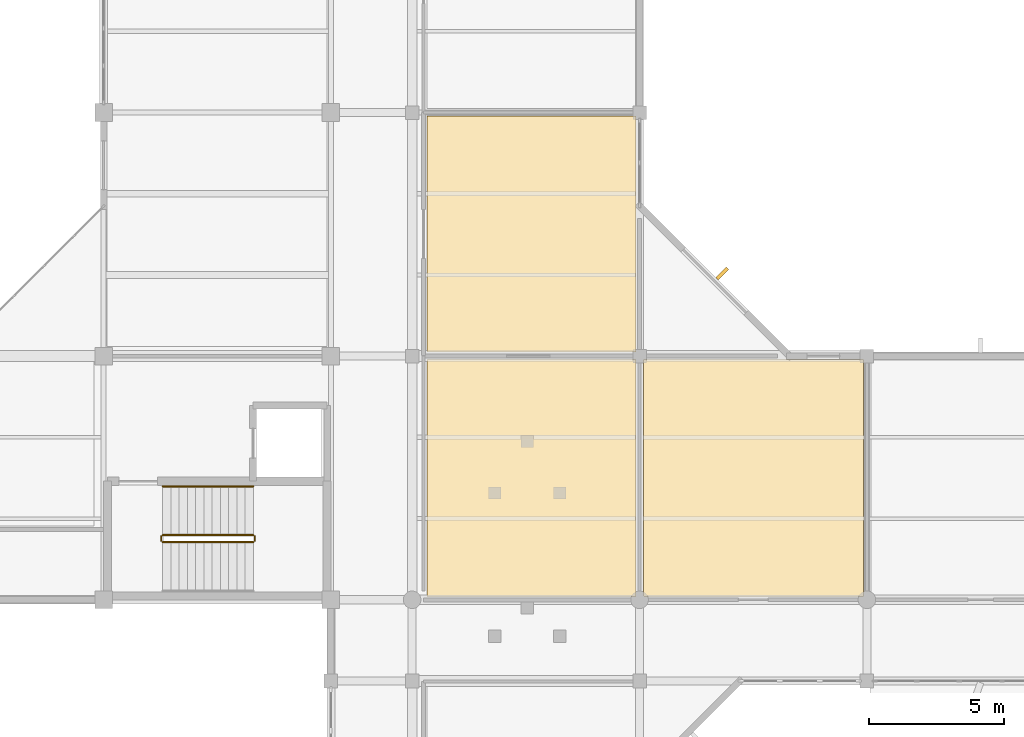
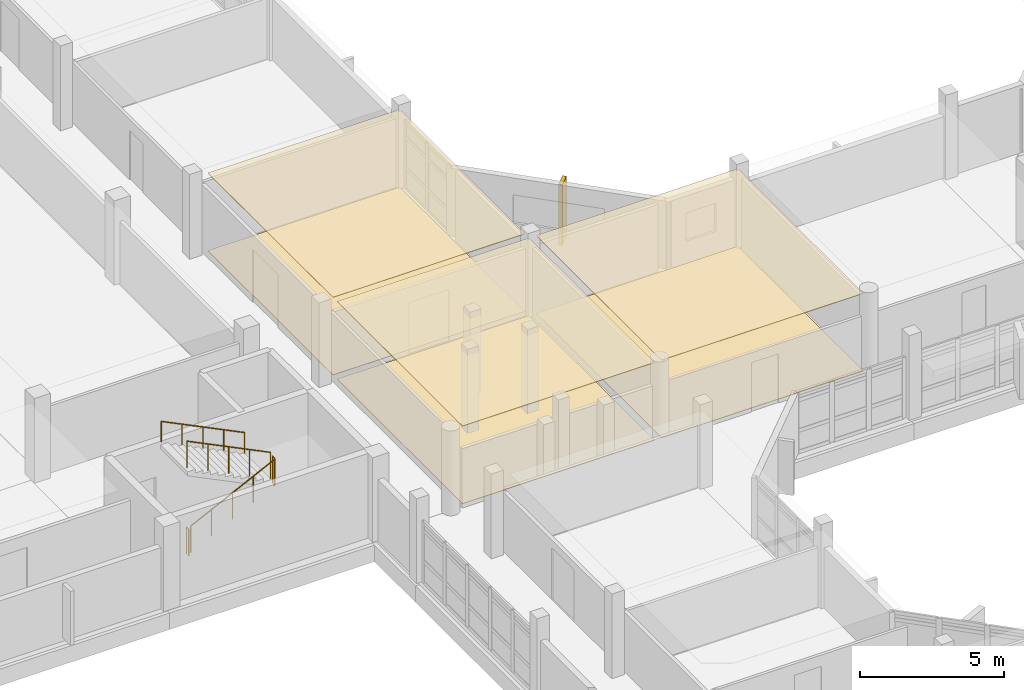
# One storey, part 85 of 104: 6 coverings, 5 railings, 1 shading device.
"""IFC4 building model written with IfcOpenShell, lengths in metres."""

import ifcopenshell
import ifcopenshell.guid

model = None  # the IFC model being written
_history = None  # IfcOwnerHistory: only IFC2X3 demands one
_inside = {}  # id of a spatial element -> (the spatial element, [elements in it])
_under = {}  # id of a project, library or spatial element -> (it, [spatial elements below it])
_declared = {}  # id of a project -> (the project, [libraries it declares])
_typed = {}  # id of a type object -> (the type object, [elements of that type])
_made_of = {}  # id of a material, layer set ... -> (it, [elements and type objects made of it])


def new_model(schema):
    """Start an empty IFC model of exactly this schema.

    Asked for "IFC4X3", IfcOpenShell would pick the latest addendum, in which some entities
    have other attributes; the version numbers below select the first issue.
    IFC2X3 requires an IfcOwnerHistory on every rooted entity: one is made here for all.
    """
    global model, _history
    if schema == "IFC4X3":
        model = ifcopenshell.file(schema_version=(4, 3, 0, 0))
    else:
        model = ifcopenshell.file(schema=schema)
    _inside.clear()
    _under.clear()
    _declared.clear()
    _typed.clear()
    _made_of.clear()
    _history = None
    if model.schema == "IFC2X3":
        org = make("IfcOrganization", Name="unknown")
        user = make(
            "IfcPersonAndOrganization",
            ThePerson=make("IfcPerson", FamilyName="unknown"),
            TheOrganization=org,
        )
        app = make(
            "IfcApplication",
            ApplicationDeveloper=org,
            Version="unknown",
            ApplicationFullName="unknown",
            ApplicationIdentifier="unknown",
        )
        _history = make(
            "IfcOwnerHistory",
            OwningUser=user,
            OwningApplication=app,
            ChangeAction="ADDED",
            CreationDate=0,
        )
    return model


def make(cls, **values):
    """One entity of the class cls with the attributes given. An attribute that is None is left unset."""
    return model.create_entity(
        cls, **{name: value for name, value in values.items() if value is not None}
    )


def rooted(cls, **values):
    """An entity with a GlobalId (a new one), such as an element, a storey or a relation."""
    return make(cls, GlobalId=ifcopenshell.guid.new(), OwnerHistory=_history, **values)


def si_unit(unit_type, name, prefix=None):
    """IfcSIUnit, for example si_unit("LENGTHUNIT", "METRE", prefix="MILLI")."""
    return make("IfcSIUnit", UnitType=unit_type, Prefix=prefix, Name=name)


def assignment(units):
    """IfcUnitAssignment: the units of a project."""
    return None if units is None else make("IfcUnitAssignment", Units=units)


def point(xyz):
    """IfcCartesianPoint."""
    return None if xyz is None else make("IfcCartesianPoint", Coordinates=xyz)


def direction(xyz):
    """IfcDirection."""
    return None if xyz is None else make("IfcDirection", DirectionRatios=xyz)


def frame(location, z_axis=None, x_axis=None):
    """IfcAxis2Placement3D, a coordinate frame: its origin and axes. An axis left out is left unset."""
    return make(
        "IfcAxis2Placement3D",
        Location=point(location),
        Axis=direction(z_axis),
        RefDirection=direction(x_axis),
    )


def frame_2d(location, x_axis=None):
    """IfcAxis2Placement2D, a coordinate frame in the plane: its origin and x axis."""
    return make(
        "IfcAxis2Placement2D", Location=point(location), RefDirection=direction(x_axis)
    )


def origin():
    """The frame at (0, 0, 0) with its axes left unset."""
    return frame((0.0, 0.0, 0.0))


def origin_2d():
    """The frame at (0, 0) in the plane with its x axis left unset."""
    return frame_2d((0.0, 0.0))


def place(relative_to, where):
    """IfcLocalPlacement: puts the frame where relative to a parent placement (None: the world)."""
    return make(
        "IfcLocalPlacement", PlacementRelTo=relative_to, RelativePlacement=where
    )


def context(
    kind, dimensions, precision=None, world=None, true_north=None, identifier=None
):
    """IfcGeometricRepresentationContext, for example the 3D "Model" context."""
    return make(
        "IfcGeometricRepresentationContext",
        ContextIdentifier=identifier,
        ContextType=kind,
        CoordinateSpaceDimension=dimensions,
        Precision=precision,
        WorldCoordinateSystem=world,
        TrueNorth=true_north,
    )


def subcontext(parent, identifier, kind, view, scale=None):
    """IfcGeometricRepresentationSubContext, for example "Body" below "Model"."""
    return make(
        "IfcGeometricRepresentationSubContext",
        ContextIdentifier=identifier,
        ContextType=kind,
        ParentContext=parent,
        TargetScale=scale,
        TargetView=view,
    )


def project(units=None, contexts=None):
    """IfcProject with its units and contexts."""
    return rooted(
        "IfcProject",
        Name="project",
        RepresentationContexts=contexts,
        UnitsInContext=assignment(units),
    )


def spatial(cls, under=None, at=None, **own):
    """A site, building, storey or space (cls), placed at a placement, below another one or the project."""
    s = rooted(cls, ObjectPlacement=at, **own)
    if under is not None:
        _under.setdefault(under.id(), (under, []))[1].append(s)
    return s


def polyline(points):
    """IfcPolyline through the points."""
    return make("IfcPolyline", Points=[point(p) for p in points])


def profile(cls, at=None, kind="AREA", **sizes):
    """A parametric profile (cls). Its sizes go by their IFC names, for example OverallWidth=200.0."""
    return make(cls, ProfileType=kind, Position=at, **sizes)


def rectangle(**sizes):
    """IfcRectangleProfileDef."""
    return profile("IfcRectangleProfileDef", **sizes)


def circle(**sizes):
    """IfcCircleProfileDef."""
    return profile("IfcCircleProfileDef", **sizes)


def outline(outer, holes=None, kind="AREA"):
    """IfcArbitraryClosedProfileDef: a profile drawn as a closed curve; with holes, ...WithVoids."""
    if holes is None:
        return make("IfcArbitraryClosedProfileDef", ProfileType=kind, OuterCurve=outer)
    return make(
        "IfcArbitraryProfileDefWithVoids",
        ProfileType=kind,
        OuterCurve=outer,
        InnerCurves=holes,
    )


def extrude(swept, where, along, depth):
    """IfcExtrudedAreaSolid: the profile swept, set in the frame where, extruded along a direction by depth."""
    return make(
        "IfcExtrudedAreaSolid",
        SweptArea=swept,
        Position=where,
        ExtrudedDirection=direction(along),
        Depth=depth,
    )


def shape(context_of_items, identifier, shape_type, items):
    """IfcShapeRepresentation: the items that make up one representation, for example the "Body"."""
    return make(
        "IfcShapeRepresentation",
        ContextOfItems=context_of_items,
        RepresentationIdentifier=identifier,
        RepresentationType=shape_type,
        Items=items,
    )


def material(Name=None, Category=None):
    """IfcMaterial."""
    return make("IfcMaterial", Name=Name, Category=Category)


def layer(
    of_material, thickness, ventilated=None, Name=None, Category=None, Priority=None
):
    """IfcMaterialLayer: one layer of a wall or slab, of a material (None: an air gap)."""
    return make(
        "IfcMaterialLayer",
        Material=of_material,
        LayerThickness=thickness,
        IsVentilated=ventilated,
        Name=Name,
        Category=Category,
        Priority=Priority,
    )


def layer_set(layers, Name=None):
    """IfcMaterialLayerSet."""
    return make("IfcMaterialLayerSet", MaterialLayers=layers, LayerSetName=Name)


def made_of(thing, what):
    """Note that an element or type object is made of a material, layer set ...; save() writes the relation."""
    if what is not None:
        _made_of.setdefault(what.id(), (what, []))[1].append(thing)
    return thing


def type_object(cls, material=None, **own):
    """A type object (cls), such as IfcWallType, which elements share."""
    return made_of(rooted(cls, **own), material)


def element(
    cls,
    number,
    at=None,
    inside=None,
    cuts=None,
    type_object=None,
    material=None,
    context=None,
    identifier="Body",
    shape_type=None,
    held_by="IfcProductDefinitionShape",
    body=None,
    shapes=None,
    **own,
):
    """One element of the class cls, such as IfcWall. Its Tag is "e" and its number.

    at: its placement. inside: the storey or other place that contains it. cuts: it is an
    opening in that element (IfcRelVoidsElement). A single representation is given by context,
    identifier, shape_type and body (its items); several are given by shapes. held_by: the class
    of the entity that holds the representations. save() writes the other relations.
    """
    e = rooted(cls, Tag="e%d" % number, ObjectPlacement=at, **own)
    if body is not None:
        shapes = [shape(context, identifier, shape_type, body)]
    if shapes is not None:
        e.Representation = make(held_by, Representations=shapes)
    if inside is not None:
        _inside.setdefault(inside.id(), (inside, []))[1].append(e)
    if cuts is not None:
        rooted(
            "IfcRelVoidsElement", RelatingBuildingElement=cuts, RelatedOpeningElement=e
        )
    if type_object is not None:
        _typed.setdefault(type_object.id(), (type_object, []))[1].append(e)
    return made_of(e, material)


def aggregate(whole, parts):
    """IfcRelAggregates: a whole, such as a stair, and the parts it consists of."""
    return rooted("IfcRelAggregates", RelatingObject=whole, RelatedObjects=parts)


def save(model, path):
    """Write the relations noted so far, then the file.

    IfcRelAggregates (storeys below a building ...), IfcRelContainedInSpatialStructure (elements
    in a storey), IfcRelDefinesByType, IfcRelAssociatesMaterial and IfcRelDeclares: one each for
    every whole, place, type object, material and project.
    """
    for whole, parts in _under.values():
        aggregate(whole, parts)
    for where, things in _inside.values():
        rooted(
            "IfcRelContainedInSpatialStructure",
            RelatedElements=things,
            RelatingStructure=where,
        )
    for kind, things in _typed.values():
        rooted("IfcRelDefinesByType", RelatedObjects=things, RelatingType=kind)
    for what, things in _made_of.values():
        rooted("IfcRelAssociatesMaterial", RelatedObjects=things, RelatingMaterial=what)
    for by, libraries in _declared.values():
        rooted("IfcRelDeclares", RelatingContext=by, RelatedDefinitions=libraries)
    model.write(path)


model = new_model("IFC4")

# Units and contexts
model_context = context("Model", 3, precision=1e-05, world=origin(), true_north=direction((0.0, 1.0)))
body_context = subcontext(model_context, "Body", "Model", "MODEL_VIEW")
ifc_project = project(units=[si_unit("LENGTHUNIT", "METRE"), si_unit("AREAUNIT", "SQUARE_METRE"), si_unit("VOLUMEUNIT", "CUBIC_METRE"), si_unit("PLANEANGLEUNIT", "RADIAN"), si_unit("MASSUNIT", "GRAM", prefix="KILO")], contexts=[model_context])

# Site, building, storey
site_placement = place(None, origin())
site = spatial("IfcSite", under=ifc_project, at=site_placement, CompositionType="ELEMENT")
building_placement = place(site_placement, origin())
building = spatial("IfcBuilding", under=site, at=building_placement, Name="Vanh Quang Courtyard School", CompositionType="ELEMENT")
storey_placement = place(building_placement, frame((0.0, 0.0, 4.199951171875)))
storey = spatial("IfcBuildingStorey", under=building, at=storey_placement, Name="L01", CompositionType="ELEMENT", Elevation=4.199951171875)

# Coverings
ifc_material_1 = material(Name="Perforated mineral-fibre acoustic ceiling board")
ifc_layer_1 = layer(ifc_material_1, 0.02490234375)
ifc_layer_set_1 = layer_set([ifc_layer_1], Name="Perforated mineral-fibre acoustic ceiling board")
covering_type_1 = type_object("IfcCoveringType", Name="COV-CEIL-ACOUSTIC", PredefinedType="CEILING", material=ifc_layer_set_1)
covering_1_placement = place(storey_placement, frame((0.0, 0.0, 3.295166015625)))
element("IfcCovering", 1, at=covering_1_placement, inside=storey, type_object=covering_type_1, Name="Covering CV-CL1 (L01)", PredefinedType="CEILING", context=body_context, shape_type="SweptSolid", body=[
    extrude(outline(polyline([(85.659912109375, 41.27001953125), (85.660888671875, 41.27001953125), (85.662109375, 41.269775390625), (85.662841796875, 41.26953125), (85.663818359375, 41.269287109375), (85.664794921875, 41.268798828125), (85.66552734375, 41.268310546875), (85.666259765625, 41.267578125), (85.6669921875, 41.26708984375), (85.667724609375, 41.266357421875), (85.668212890625, 41.265625), (85.668701171875, 41.2646484375), (85.669189453125, 41.263916015625), (85.669677734375, 41.262939453125), (85.669921875, 41.261962890625), (85.669921875, 41.260986328125), (85.669921875, 41.260009765625), (85.669921875, 32.5400390625), (85.669921875, 32.5390625), (85.669921875, 32.5380859375), (85.669677734375, 32.537109375), (85.669189453125, 32.5361328125), (85.668701171875, 32.535400390625), (85.668212890625, 32.534423828125), (85.667724609375, 32.53369140625), (85.6669921875, 32.532958984375), (85.666259765625, 32.5322265625), (85.66552734375, 32.53173828125), (85.664794921875, 32.53125), (85.663818359375, 32.53076171875), (85.662841796875, 32.530517578125), (85.662109375, 32.5302734375), (85.660888671875, 32.530029296875), (85.659912109375, 32.530029296875), (77.9599609375, 32.530029296875), (77.958984375, 32.530029296875), (77.9580078125, 32.5302734375), (77.95703125, 32.530517578125), (77.956298828125, 32.53076171875), (77.955322265625, 32.53125), (77.954345703125, 32.53173828125), (77.95361328125, 32.5322265625), (77.952880859375, 32.532958984375), (77.952392578125, 32.53369140625), (77.95166015625, 32.534423828125), (77.951171875, 32.535400390625), (77.95068359375, 32.5361328125), (77.950439453125, 32.537109375), (77.9501953125, 32.5380859375), (77.949951171875, 32.5390625), (77.949951171875, 32.5400390625), (77.949951171875, 41.260009765625), (77.949951171875, 41.260986328125), (77.9501953125, 41.261962890625), (77.950439453125, 41.262939453125), (77.95068359375, 41.263916015625), (77.951171875, 41.2646484375), (77.95166015625, 41.265625), (77.952392578125, 41.266357421875), (77.952880859375, 41.26708984375), (77.95361328125, 41.267578125), (77.954345703125, 41.268310546875), (77.955322265625, 41.268798828125), (77.956298828125, 41.269287109375), (77.95703125, 41.26953125), (77.9580078125, 41.269775390625), (77.958984375, 41.27001953125), (77.9599609375, 41.27001953125), (85.659912109375, 41.27001953125)])), origin(), (0.0, 0.0, 1.0), 0.02490234375),
])
covering_2_placement = place(storey_placement, frame((0.0, 0.0, 3.295166015625)))
element("IfcCovering", 2, at=covering_2_placement, inside=storey, type_object=covering_type_1, Name="Covering CV-CL1 (L01)", PredefinedType="CEILING", context=body_context, shape_type="SweptSolid", body=[
    extrude(outline(polyline([(77.9599609375, 41.550048828125), (77.958984375, 41.550048828125), (77.9580078125, 41.55029296875), (77.95703125, 41.55029296875), (77.956298828125, 41.55078125), (77.955322265625, 41.55126953125), (77.954345703125, 41.5517578125), (77.95361328125, 41.55224609375), (77.952880859375, 41.552978515625), (77.952392578125, 41.5537109375), (77.95166015625, 41.554443359375), (77.951171875, 41.555419921875), (77.95068359375, 41.55615234375), (77.950439453125, 41.55712890625), (77.9501953125, 41.55810546875), (77.949951171875, 41.55908203125), (77.949951171875, 41.56005859375), (77.949951171875, 50.260009765625), (77.949951171875, 50.260986328125), (77.9501953125, 50.261962890625), (77.950439453125, 50.262939453125), (77.95068359375, 50.263916015625), (77.951171875, 50.2646484375), (77.95166015625, 50.265625), (77.952392578125, 50.266357421875), (77.952880859375, 50.26708984375), (77.95361328125, 50.267578125), (77.954345703125, 50.268310546875), (77.955322265625, 50.268798828125), (77.956298828125, 50.269287109375), (77.95703125, 50.26953125), (77.9580078125, 50.269775390625), (77.958984375, 50.27001953125), (77.9599609375, 50.27001953125), (85.659912109375, 50.27001953125), (85.660888671875, 50.27001953125), (85.662109375, 50.269775390625), (85.662841796875, 50.26953125), (85.663818359375, 50.269287109375), (85.664794921875, 50.268798828125), (85.66552734375, 50.268310546875), (85.666259765625, 50.267578125), (85.6669921875, 50.26708984375), (85.667724609375, 50.266357421875), (85.668212890625, 50.265625), (85.668701171875, 50.2646484375), (85.669189453125, 50.263916015625), (85.669677734375, 50.262939453125), (85.669921875, 50.261962890625), (85.669921875, 50.260986328125), (85.669921875, 50.260009765625), (85.669921875, 41.56005859375), (85.669921875, 41.55908203125), (85.669921875, 41.55810546875), (85.669677734375, 41.55712890625), (85.669189453125, 41.55615234375), (85.668701171875, 41.555419921875), (85.668212890625, 41.554443359375), (85.667724609375, 41.5537109375), (85.6669921875, 41.552978515625), (85.666259765625, 41.55224609375), (85.66552734375, 41.5517578125), (85.664794921875, 41.55126953125), (85.663818359375, 41.55078125), (85.662841796875, 41.55029296875), (85.662109375, 41.55029296875), (85.660888671875, 41.550048828125), (85.659912109375, 41.550048828125), (77.9599609375, 41.550048828125)])), origin(), (0.0, 0.0, 1.0), 0.02490234375),
])
covering_3_placement = place(storey_placement, frame((0.0, 0.0, 3.295166015625)))
element("IfcCovering", 3, at=covering_3_placement, inside=storey, type_object=covering_type_1, Name="Covering CV-CL1 (L01)", PredefinedType="CEILING", context=body_context, shape_type="SweptSolid", body=[
    extrude(outline(polyline([(85.9599609375, 32.530029296875), (85.958984375, 32.530029296875), (85.9580078125, 32.5302734375), (85.95703125, 32.530517578125), (85.956298828125, 32.53076171875), (85.955322265625, 32.53125), (85.954345703125, 32.53173828125), (85.95361328125, 32.5322265625), (85.952880859375, 32.532958984375), (85.952392578125, 32.53369140625), (85.95166015625, 32.534423828125), (85.951171875, 32.535400390625), (85.95068359375, 32.5361328125), (85.950439453125, 32.537109375), (85.9501953125, 32.5380859375), (85.949951171875, 32.5390625), (85.949951171875, 32.5400390625), (85.949951171875, 41.260009765625), (85.949951171875, 41.260986328125), (85.9501953125, 41.261962890625), (85.950439453125, 41.262939453125), (85.95068359375, 41.263916015625), (85.951171875, 41.2646484375), (85.95166015625, 41.265625), (85.952392578125, 41.266357421875), (85.952880859375, 41.26708984375), (85.95361328125, 41.267578125), (85.954345703125, 41.268310546875), (85.955322265625, 41.268798828125), (85.956298828125, 41.269287109375), (85.95703125, 41.26953125), (85.9580078125, 41.269775390625), (85.958984375, 41.27001953125), (85.9599609375, 41.27001953125), (94.06005859375, 41.27001953125), (94.06103515625, 41.27001953125), (94.06201171875, 41.269775390625), (94.06298828125, 41.26953125), (94.063720703125, 41.269287109375), (94.064697265625, 41.268798828125), (94.065673828125, 41.268310546875), (94.06640625, 41.267578125), (94.067138671875, 41.26708984375), (94.067626953125, 41.266357421875), (94.068359375, 41.265625), (94.06884765625, 41.2646484375), (94.069091796875, 41.263916015625), (94.069580078125, 41.262939453125), (94.06982421875, 41.261962890625), (94.070068359375, 41.260986328125), (94.070068359375, 41.260009765625), (94.070068359375, 32.5400390625), (94.070068359375, 32.5390625), (94.06982421875, 32.5380859375), (94.069580078125, 32.537109375), (94.069091796875, 32.5361328125), (94.06884765625, 32.535400390625), (94.068359375, 32.534423828125), (94.067626953125, 32.53369140625), (94.067138671875, 32.532958984375), (94.06640625, 32.5322265625), (94.065673828125, 32.53173828125), (94.064697265625, 32.53125), (94.063720703125, 32.53076171875), (94.06298828125, 32.530517578125), (94.06201171875, 32.5302734375), (94.06103515625, 32.530029296875), (94.06005859375, 32.530029296875), (85.9599609375, 32.530029296875)])), origin(), (0.0, 0.0, 1.0), 0.02490234375),
])
ifc_material_2 = material(Name="Polished cementitious terrazzo tile", Category="concrete")
ifc_layer_2 = layer(ifc_material_2, 0.02001953125)
ifc_layer_set_2 = layer_set([ifc_layer_2], Name="Polished cementitious terrazzo tile")
covering_type_2 = type_object("IfcCoveringType", Name="COV-FLR-TERRAZZO", PredefinedType="FLOORING", material=ifc_layer_set_2)
covering_4_placement = place(storey_placement, origin())
element("IfcCovering", 4, at=covering_4_placement, inside=storey, type_object=covering_type_2, Name="Covering CV-FL1 (L01)", PredefinedType="FLOORING", context=body_context, shape_type="SweptSolid", body=[
    extrude(outline(polyline([(85.659912109375, 41.27001953125), (85.660888671875, 41.27001953125), (85.662109375, 41.269775390625), (85.662841796875, 41.26953125), (85.663818359375, 41.269287109375), (85.664794921875, 41.268798828125), (85.66552734375, 41.268310546875), (85.666259765625, 41.267578125), (85.6669921875, 41.26708984375), (85.667724609375, 41.266357421875), (85.668212890625, 41.265625), (85.668701171875, 41.2646484375), (85.669189453125, 41.263916015625), (85.669677734375, 41.262939453125), (85.669921875, 41.261962890625), (85.669921875, 41.260986328125), (85.669921875, 41.260009765625), (85.669921875, 32.5400390625), (85.669921875, 32.5390625), (85.669921875, 32.5380859375), (85.669677734375, 32.537109375), (85.669189453125, 32.5361328125), (85.668701171875, 32.535400390625), (85.668212890625, 32.534423828125), (85.667724609375, 32.53369140625), (85.6669921875, 32.532958984375), (85.666259765625, 32.5322265625), (85.66552734375, 32.53173828125), (85.664794921875, 32.53125), (85.663818359375, 32.53076171875), (85.662841796875, 32.530517578125), (85.662109375, 32.5302734375), (85.660888671875, 32.530029296875), (85.659912109375, 32.530029296875), (77.9599609375, 32.530029296875), (77.958984375, 32.530029296875), (77.9580078125, 32.5302734375), (77.95703125, 32.530517578125), (77.956298828125, 32.53076171875), (77.955322265625, 32.53125), (77.954345703125, 32.53173828125), (77.95361328125, 32.5322265625), (77.952880859375, 32.532958984375), (77.952392578125, 32.53369140625), (77.95166015625, 32.534423828125), (77.951171875, 32.535400390625), (77.95068359375, 32.5361328125), (77.950439453125, 32.537109375), (77.9501953125, 32.5380859375), (77.949951171875, 32.5390625), (77.949951171875, 32.5400390625), (77.949951171875, 41.260009765625), (77.949951171875, 41.260986328125), (77.9501953125, 41.261962890625), (77.950439453125, 41.262939453125), (77.95068359375, 41.263916015625), (77.951171875, 41.2646484375), (77.95166015625, 41.265625), (77.952392578125, 41.266357421875), (77.952880859375, 41.26708984375), (77.95361328125, 41.267578125), (77.954345703125, 41.268310546875), (77.955322265625, 41.268798828125), (77.956298828125, 41.269287109375), (77.95703125, 41.26953125), (77.9580078125, 41.269775390625), (77.958984375, 41.27001953125), (77.9599609375, 41.27001953125), (85.659912109375, 41.27001953125)])), origin(), (0.0, 0.0, 1.0), 0.02001953125),
])
covering_5_placement = place(storey_placement, origin())
element("IfcCovering", 5, at=covering_5_placement, inside=storey, type_object=covering_type_2, Name="Covering CV-FL1 (L01)", PredefinedType="FLOORING", context=body_context, shape_type="SweptSolid", body=[
    extrude(outline(polyline([(77.9599609375, 41.550048828125), (77.958984375, 41.550048828125), (77.9580078125, 41.55029296875), (77.95703125, 41.55029296875), (77.956298828125, 41.55078125), (77.955322265625, 41.55126953125), (77.954345703125, 41.5517578125), (77.95361328125, 41.55224609375), (77.952880859375, 41.552978515625), (77.952392578125, 41.5537109375), (77.95166015625, 41.554443359375), (77.951171875, 41.555419921875), (77.95068359375, 41.55615234375), (77.950439453125, 41.55712890625), (77.9501953125, 41.55810546875), (77.949951171875, 41.55908203125), (77.949951171875, 41.56005859375), (77.949951171875, 50.260009765625), (77.949951171875, 50.260986328125), (77.9501953125, 50.261962890625), (77.950439453125, 50.262939453125), (77.95068359375, 50.263916015625), (77.951171875, 50.2646484375), (77.95166015625, 50.265625), (77.952392578125, 50.266357421875), (77.952880859375, 50.26708984375), (77.95361328125, 50.267578125), (77.954345703125, 50.268310546875), (77.955322265625, 50.268798828125), (77.956298828125, 50.269287109375), (77.95703125, 50.26953125), (77.9580078125, 50.269775390625), (77.958984375, 50.27001953125), (77.9599609375, 50.27001953125), (85.659912109375, 50.27001953125), (85.660888671875, 50.27001953125), (85.662109375, 50.269775390625), (85.662841796875, 50.26953125), (85.663818359375, 50.269287109375), (85.664794921875, 50.268798828125), (85.66552734375, 50.268310546875), (85.666259765625, 50.267578125), (85.6669921875, 50.26708984375), (85.667724609375, 50.266357421875), (85.668212890625, 50.265625), (85.668701171875, 50.2646484375), (85.669189453125, 50.263916015625), (85.669677734375, 50.262939453125), (85.669921875, 50.261962890625), (85.669921875, 50.260986328125), (85.669921875, 50.260009765625), (85.669921875, 41.56005859375), (85.669921875, 41.55908203125), (85.669921875, 41.55810546875), (85.669677734375, 41.55712890625), (85.669189453125, 41.55615234375), (85.668701171875, 41.555419921875), (85.668212890625, 41.554443359375), (85.667724609375, 41.5537109375), (85.6669921875, 41.552978515625), (85.666259765625, 41.55224609375), (85.66552734375, 41.5517578125), (85.664794921875, 41.55126953125), (85.663818359375, 41.55078125), (85.662841796875, 41.55029296875), (85.662109375, 41.55029296875), (85.660888671875, 41.550048828125), (85.659912109375, 41.550048828125), (77.9599609375, 41.550048828125)])), origin(), (0.0, 0.0, 1.0), 0.02001953125),
])
covering_6_placement = place(storey_placement, origin())
element("IfcCovering", 6, at=covering_6_placement, inside=storey, type_object=covering_type_2, Name="Covering CV-FL1 (L01)", PredefinedType="FLOORING", context=body_context, shape_type="SweptSolid", body=[
    extrude(outline(polyline([(85.9599609375, 32.530029296875), (85.958984375, 32.530029296875), (85.9580078125, 32.5302734375), (85.95703125, 32.530517578125), (85.956298828125, 32.53076171875), (85.955322265625, 32.53125), (85.954345703125, 32.53173828125), (85.95361328125, 32.5322265625), (85.952880859375, 32.532958984375), (85.952392578125, 32.53369140625), (85.95166015625, 32.534423828125), (85.951171875, 32.535400390625), (85.95068359375, 32.5361328125), (85.950439453125, 32.537109375), (85.9501953125, 32.5380859375), (85.949951171875, 32.5390625), (85.949951171875, 32.5400390625), (85.949951171875, 41.260009765625), (85.949951171875, 41.260986328125), (85.9501953125, 41.261962890625), (85.950439453125, 41.262939453125), (85.95068359375, 41.263916015625), (85.951171875, 41.2646484375), (85.95166015625, 41.265625), (85.952392578125, 41.266357421875), (85.952880859375, 41.26708984375), (85.95361328125, 41.267578125), (85.954345703125, 41.268310546875), (85.955322265625, 41.268798828125), (85.956298828125, 41.269287109375), (85.95703125, 41.26953125), (85.9580078125, 41.269775390625), (85.958984375, 41.27001953125), (85.9599609375, 41.27001953125), (94.06005859375, 41.27001953125), (94.06103515625, 41.27001953125), (94.06201171875, 41.269775390625), (94.06298828125, 41.26953125), (94.063720703125, 41.269287109375), (94.064697265625, 41.268798828125), (94.065673828125, 41.268310546875), (94.06640625, 41.267578125), (94.067138671875, 41.26708984375), (94.067626953125, 41.266357421875), (94.068359375, 41.265625), (94.06884765625, 41.2646484375), (94.069091796875, 41.263916015625), (94.069580078125, 41.262939453125), (94.06982421875, 41.261962890625), (94.070068359375, 41.260986328125), (94.070068359375, 41.260009765625), (94.070068359375, 32.5400390625), (94.070068359375, 32.5390625), (94.06982421875, 32.5380859375), (94.069580078125, 32.537109375), (94.069091796875, 32.5361328125), (94.06884765625, 32.535400390625), (94.068359375, 32.534423828125), (94.067626953125, 32.53369140625), (94.067138671875, 32.532958984375), (94.06640625, 32.5322265625), (94.065673828125, 32.53173828125), (94.064697265625, 32.53125), (94.063720703125, 32.53076171875), (94.06298828125, 32.530517578125), (94.06201171875, 32.5302734375), (94.06103515625, 32.530029296875), (94.06005859375, 32.530029296875), (85.9599609375, 32.530029296875)])), origin(), (0.0, 0.0, 1.0), 0.02001953125),
])

# Railings
ifc_material_3 = material(Name="Galvanised painted steel EN 10025-2 S355J2", Category="steel")
railing_type_1 = type_object("IfcRailingType", Name="RAIL-GUARD-1150", PredefinedType="BALUSTRADE", material=ifc_material_3)
railing_1_placement = place(storey_placement, frame((68.179931640625, 34.530029296875, 0.150146484375)))
element("IfcRailing", 7, at=railing_1_placement, inside=storey, type_object=railing_type_1, Name="L01 ST-04 stair guard 1", PredefinedType="BALUSTRADE", context=body_context, shape_type="SweptSolid", body=[
    extrude(circle(Radius=0.02392578125, at=origin_2d()), frame((0.0, 0.0, 1.1259765625), z_axis=(0.897359292542, 0.0, 0.441300691239), x_axis=(0.0, 1.0, 0.0)), (0.0, 0.0, 1.0), 3.73876953125),
    extrude(circle(Radius=0.02099609375, at=origin_2d()), origin(), (0.0, 0.0, 1.0), 1.101806640625),
    extrude(circle(Radius=0.02099609375, at=origin_2d()), frame((0.8388671875, 0.0, 0.41259765625)), (0.0, 0.0, 1.0), 1.101806640625),
    extrude(circle(Radius=0.02099609375, at=origin_2d()), frame((1.677490234375, 0.0, 0.824951171875)), (0.0, 0.0, 1.0), 1.101806640625),
    extrude(circle(Radius=0.02099609375, at=origin_2d()), frame((2.51611328125, 0.0, 1.2373046875)), (0.0, 0.0, 1.0), 1.101806640625),
    extrude(circle(Radius=0.02099609375, at=origin_2d()), frame((3.35498046875, 0.0, 1.64990234375)), (0.0, 0.0, 1.0), 1.101806640625),
])
railing_2_placement = place(storey_placement, frame((71.5849609375, 34.580078125, 1.800048828125)))
element("IfcRailing", 8, at=railing_2_placement, inside=storey, type_object=railing_type_1, Name="L01 ST-04 stair guard 2", PredefinedType="BALUSTRADE", context=body_context, shape_type="SweptSolid", body=[
    extrude(circle(Radius=0.02392578125, at=origin_2d()), frame((0.0, 0.0, 1.1259765625), z_axis=(0.0, 1.0, 0.0), x_axis=(-1.0, 0.0, 0.0)), (0.0, 0.0, 1.0), 0.159912109375),
    extrude(circle(Radius=0.02099609375, at=origin_2d()), origin(), (0.0, 0.0, 1.0), 1.101806640625),
    extrude(circle(Radius=0.02099609375, at=origin_2d()), frame((0.0, 0.159912109375, 0.0)), (0.0, 0.0, 1.0), 1.101806640625),
])
railing_3_placement = place(storey_placement, frame((71.534912109375, 34.7900390625, 1.949951171875)))
element("IfcRailing", 9, at=railing_3_placement, inside=storey, type_object=railing_type_1, Name="L01 ST-04 stair guard 3", PredefinedType="BALUSTRADE", context=body_context, shape_type="SweptSolid", body=[
    extrude(circle(Radius=0.02392578125, at=origin_2d()), frame((0.0, 0.0, 1.1259765625), z_axis=(-0.89733343241, 0.0, 0.441353272424), x_axis=(0.0, -1.0, 0.0)), (0.0, 0.0, 1.0), 3.73876953125),
    extrude(circle(Radius=0.02099609375, at=origin_2d()), origin(), (0.0, 0.0, 1.0), 1.101806640625),
    extrude(circle(Radius=0.02099609375, at=origin_2d()), frame((-0.8388671875, 0.0, 0.41259765625)), (0.0, 0.0, 1.0), 1.101806640625),
    extrude(circle(Radius=0.02099609375, at=origin_2d()), frame((-1.677490234375, 0.0, 0.8251953125)), (0.0, 0.0, 1.0), 1.101806640625),
    extrude(circle(Radius=0.02099609375, at=origin_2d()), frame((-2.51611328125, 0.0, 1.237548828125)), (0.0, 0.0, 1.0), 1.101806640625),
    extrude(circle(Radius=0.02099609375, at=origin_2d()), frame((-3.35498046875, 0.0, 1.650146484375)), (0.0, 0.0, 1.0), 1.101806640625),
])
railing_4_placement = place(storey_placement, frame((68.1298828125, 34.580078125, 0.0)))
element("IfcRailing", 10, at=railing_4_placement, inside=storey, type_object=railing_type_1, Name="L01 ST-04 stair guard 4", PredefinedType="BALUSTRADE", context=body_context, shape_type="SweptSolid", body=[
    extrude(circle(Radius=0.02392578125, at=origin_2d()), frame((0.0, 0.0, 1.1259765625), z_axis=(0.0, 1.0, 0.0), x_axis=(-1.0, 0.0, 0.0)), (0.0, 0.0, 1.0), 0.159912109375),
    extrude(circle(Radius=0.02099609375, at=origin_2d()), origin(), (0.0, 0.0, 1.0), 1.101806640625),
    extrude(circle(Radius=0.02099609375, at=origin_2d()), frame((0.0, 0.159912109375, 0.0)), (0.0, 0.0, 1.0), 1.101806640625),
])
ifc_material_4 = material(Name="Brushed stainless steel", Category="steel")
railing_type_2 = type_object("IfcRailingType", Name="RAIL-HAND-900", PredefinedType="HANDRAIL", material=ifc_material_4)
railing_5_placement = place(storey_placement, frame((71.534912109375, 36.590087890625, 1.949951171875)))
element("IfcRailing", 11, at=railing_5_placement, inside=storey, type_object=railing_type_2, Name="L01 ST-04 stair handrail 2", PredefinedType="HANDRAIL", context=body_context, shape_type="SweptSolid", body=[
    extrude(circle(Radius=0.02392578125, at=origin_2d()), frame((0.0, 0.0, 0.8759765625), z_axis=(-0.89733343241, 0.0, 0.441353272424), x_axis=(0.0, -1.0, 0.0)), (0.0, 0.0, 1.0), 3.73876953125),
    extrude(circle(Radius=0.02099609375, at=origin_2d()), origin(), (0.0, 0.0, 1.0), 0.851806640625),
    extrude(circle(Radius=0.02099609375, at=origin_2d()), frame((-0.8388671875, 0.0, 0.41259765625)), (0.0, 0.0, 1.0), 0.851806640625),
    extrude(circle(Radius=0.02099609375, at=origin_2d()), frame((-1.677490234375, 0.0, 0.8251953125)), (0.0, 0.0, 1.0), 0.851806640625),
    extrude(circle(Radius=0.02099609375, at=origin_2d()), frame((-2.51611328125, 0.0, 1.237548828125)), (0.0, 0.0, 1.0), 0.851806640625),
    extrude(circle(Radius=0.02099609375, at=origin_2d()), frame((-3.35498046875, 0.0, 1.650146484375)), (0.0, 0.0, 1.0), 0.851806640625),
])

# Shading device
ifc_material_5 = material(Name="Board-marked precast concrete C40/50", Category="concrete")
shading_device_type = type_object("IfcShadingDeviceType", Name="SHD-FIN-CONCRETE", PredefinedType="USERDEFINED", material=ifc_material_5)
shading_device_placement = place(storey_placement, frame((88.851318359375, 44.451416015625, 0.14990234375), z_axis=(0.0, 0.0, 1.0), x_axis=(0.707106781187, -0.707106781187, 0.0)))
element("IfcShadingDevice", 12, at=shading_device_placement, inside=storey, type_object=shading_device_type, Name="Solar Shading SH-02 (L01)", ObjectType="Solar Shading SH-02 (L01)", PredefinedType="USERDEFINED", context=body_context, shape_type="SweptSolid", body=[
    extrude(rectangle(XDim=0.139892578125, YDim=0.550048828125, at=origin_2d()), origin(), (0.0, 0.0, 1.0), 2.570068359375),
])

save(model, "model.ifc")
